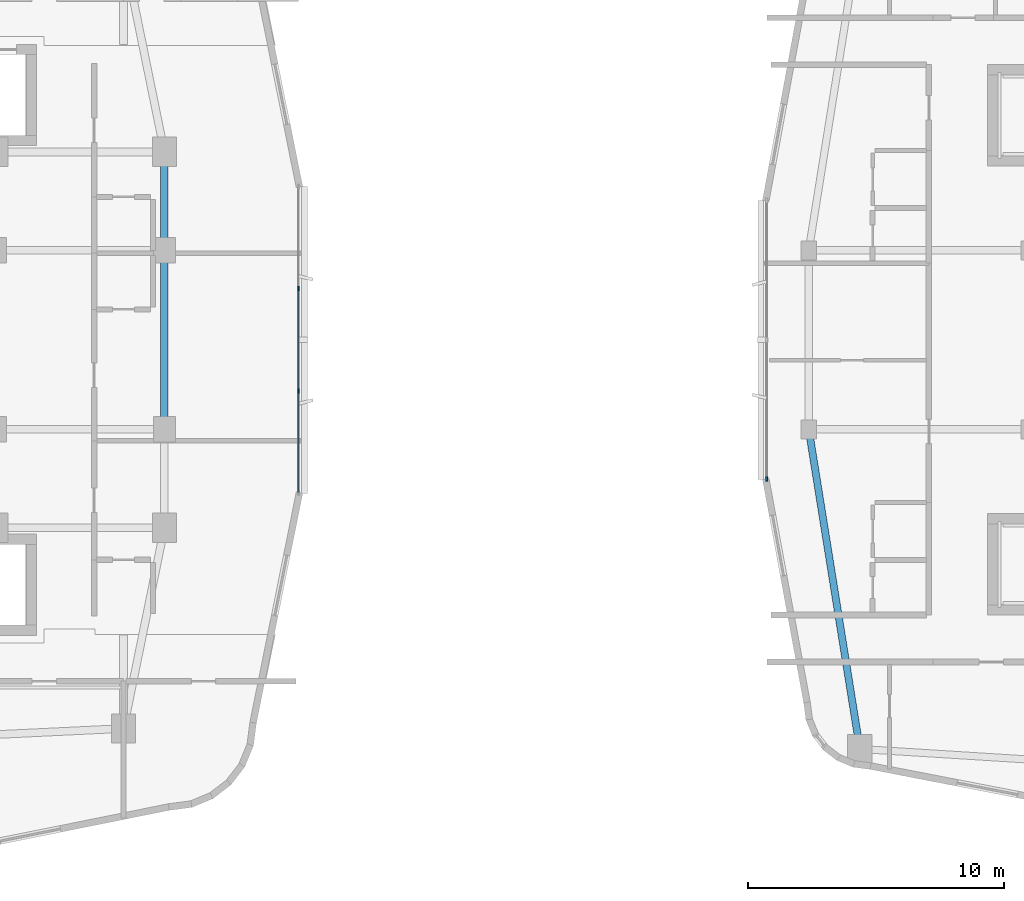
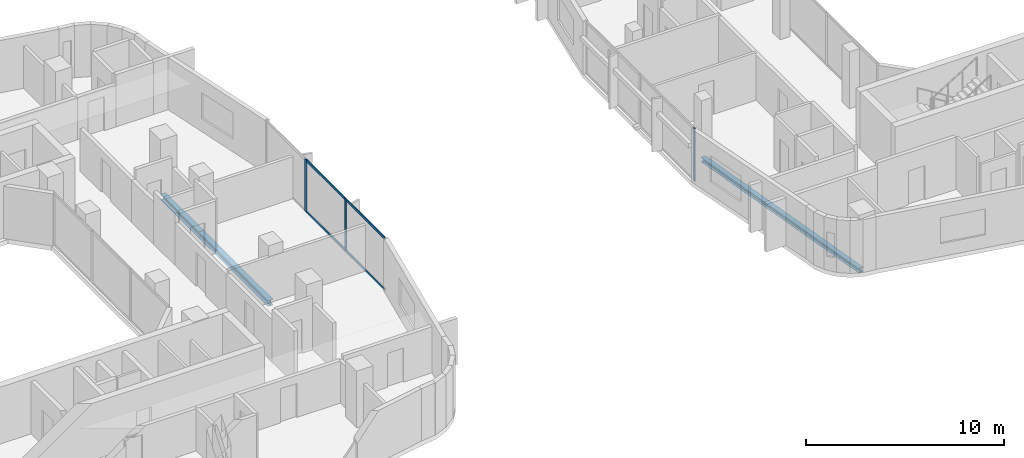
# One storey, part 5 of 26: 7 members, 3 beams, 2 elements without a shape of their own.
"""IFC4 building model written with IfcOpenShell, lengths in metres."""

from ifc_helpers import new_model, si_unit, derived_unit, direction, frame, origin, origin_2d, place, context, subcontext, project, spatial, rectangle, i_section, extrude, material, layer, layer_set, material_profile, profile_set, type_object, element, aggregate, save


model = new_model("IFC4")

# Units and contexts
model_context = context("Model", 3, precision=1e-05, world=origin(), true_north=direction((0.0, 1.0)))
body_context = subcontext(model_context, "Body", "Model", "MODEL_VIEW")
ifc_project = project(units=[si_unit("LENGTHUNIT", "METRE"), si_unit("AREAUNIT", "SQUARE_METRE"), si_unit("VOLUMEUNIT", "CUBIC_METRE"), si_unit("PLANEANGLEUNIT", "RADIAN"), si_unit("MASSUNIT", "GRAM", prefix="KILO"), derived_unit("THERMALTRANSMITTANCEUNIT", [(si_unit("POWERUNIT", "WATT"), 1), (si_unit("LENGTHUNIT", "METRE"), -2), (si_unit("THERMODYNAMICTEMPERATUREUNIT", "KELVIN"), -1)])], contexts=[model_context])

# Site, building, storey
site_placement = place(None, origin())
site = spatial("IfcSite", under=ifc_project, at=site_placement, CompositionType="ELEMENT")
building_placement = place(site_placement, origin())
building = spatial("IfcBuilding", under=site, at=building_placement, Name="Kivonza Crest Hotel", CompositionType="ELEMENT")
storey_placement = place(building_placement, frame((0.0, 0.0, 102.0)))
storey = spatial("IfcBuildingStorey", under=building, at=storey_placement, Name="L27", CompositionType="ELEMENT", Elevation=102.0)

# Beams
ifc_material_1 = material(Name="Steel S355", Category="steel")
ifc_material_profile_1 = material_profile(ifc_material_1, i_section(OverallWidth=0.280029296875, OverallDepth=0.280029296875, WebThickness=0.010498046875, FlangeThickness=0.01806640625, FilletRadius=0.02392578125, at=origin_2d()), Name="HEB 280")
ifc_profile_set_1 = profile_set([ifc_material_profile_1], Name="Steel S355")
beam_type_1 = type_object("IfcBeamType", Name="BM-HEB280", PredefinedType="SPANDREL", material=ifc_profile_set_1)
beam_1_placement = place(storey_placement, frame((61.0, 21.5, -0.389892578125), z_axis=(0.157990501107, -0.987440631917, 0.0), x_axis=(0.987440631917, 0.157990501107, 0.0)))
element("IfcBeam", 1, at=beam_1_placement, inside=storey, type_object=beam_type_1, Name="Companion Tower T2 L27 perimeter spandrel W1-SW", PredefinedType="SPANDREL", context=body_context, shape_type="SweptSolid", body=[
    extrude(i_section(OverallWidth=0.280029296875, OverallDepth=0.280029296875, WebThickness=0.010498046875, FlangeThickness=0.01806640625, FilletRadius=0.02392578125, at=origin_2d()), origin(), (0.0, 0.0, 1.0), 12.658935546875),
])
ifc_material_profile_2 = material_profile(ifc_material_1, i_section(OverallWidth=0.300048828125, OverallDepth=0.360107421875, WebThickness=0.012451171875, FlangeThickness=0.0224609375, FilletRadius=0.027099609375, at=origin_2d()), Name="HEB 360")
ifc_profile_set_2 = profile_set([ifc_material_profile_2], Name="Steel S355")
beam_type_2 = type_object("IfcBeamType", Name="BM-HEB360", PredefinedType="SPANDREL", material=ifc_profile_set_2)
beam_2_placement = place(storey_placement, frame((35.800048828125, 21.5, -0.4599609375), z_axis=(0.0, 1.0, 0.0), x_axis=(-1.0, 0.0, 0.0)))
element("IfcBeam", 2, at=beam_2_placement, inside=storey, type_object=beam_type_2, Name="Tower T1 L27 perimeter spandrel E1-E2", PredefinedType="SPANDREL", context=body_context, shape_type="SweptSolid", body=[
    extrude(i_section(OverallWidth=0.300048828125, OverallDepth=0.360107421875, WebThickness=0.012451171875, FlangeThickness=0.0224609375, FilletRadius=0.027099609375, at=origin_2d()), origin(), (0.0, 0.0, 1.0), 7.0),
])
beam_3_placement = place(storey_placement, frame((35.800048828125, 28.5, -0.4599609375), z_axis=(0.0, 1.0, 0.0), x_axis=(-1.0, 0.0, 0.0)))
element("IfcBeam", 3, at=beam_3_placement, inside=storey, type_object=beam_type_2, Name="Tower T1 L27 perimeter spandrel E2-PNE", PredefinedType="SPANDREL", context=body_context, shape_type="SweptSolid", body=[
    extrude(i_section(OverallWidth=0.300048828125, OverallDepth=0.360107421875, WebThickness=0.012451171875, FlangeThickness=0.0224609375, FilletRadius=0.027099609375, at=origin_2d()), origin(), (0.0, 0.0, 1.0), 3.85009765625),
])

# Curtain wall, members
ifc_material_2 = material(Name="Anodised bronze aluminium and low-E double glazing", Category="aluminium")
ifc_layer_1 = layer(ifc_material_2, 0.179931640625)
ifc_layer_set_1 = layer_set([ifc_layer_1], Name="Anodised bronze aluminium and low-E double glazing")
curtain_wall_type_1 = type_object("IfcCurtainWallType", Name="CW-SYS-2", PredefinedType="NOTDEFINED", material=ifc_layer_set_1)
curtain_wall_1_placement = place(storey_placement, origin())
curtain_wall_1 = element("IfcCurtainWall", 4, at=curtain_wall_1_placement, inside=storey, type_object=curtain_wall_type_1, Name="L27 unitised curtain wall CW-T1-L27-17", PredefinedType="NOTDEFINED")
ifc_material_3 = material(Name="Anodised bronze aluminium", Category="aluminium")
ifc_material_profile_3 = material_profile(ifc_material_3, rectangle(XDim=0.06494140625, YDim=0.179931640625, at=origin_2d()), Name="CW-M 65x180")
ifc_profile_set_3 = profile_set([ifc_material_profile_3], Name="Anodised bronze aluminium")
member_type_1 = type_object("IfcMemberType", Name="CW-MUL-65x180", PredefinedType="MULLION", material=ifc_profile_set_3)
member_1_placement = place(storey_placement, frame((41.0400390625, 22.993408203125, 0.0), z_axis=(0.0, 0.0, 1.0), x_axis=(-1.0, 0.0, 0.0)))
member_1 = element("IfcMember", 5, at=member_1_placement, type_object=member_type_1, Name="CW-2 mullion 2", PredefinedType="MULLION", context=body_context, shape_type="SweptSolid", body=[
    extrude(rectangle(XDim=0.06494140625, YDim=0.179931640625, at=origin_2d()), origin(), (0.0, 0.0, 1.0), 3.219970703125),
])
member_2_placement = place(storey_placement, frame((41.0400390625, 27.006591796875, 0.0), z_axis=(0.0, 0.0, 1.0), x_axis=(-1.0, 0.0, 0.0)))
member_2 = element("IfcMember", 6, at=member_2_placement, type_object=member_type_1, Name="CW-2 mullion 3", PredefinedType="MULLION", context=body_context, shape_type="SweptSolid", body=[
    extrude(rectangle(XDim=0.06494140625, YDim=0.179931640625, at=origin_2d()), origin(), (0.0, 0.0, 1.0), 3.219970703125),
])

# Curtain wall, member
ifc_layer_2 = layer(ifc_material_2, 0.179931640625)
ifc_layer_set_2 = layer_set([ifc_layer_2], Name="Anodised bronze aluminium and low-E double glazing")
curtain_wall_type_2 = type_object("IfcCurtainWallType", Name="CW-SYS-4", PredefinedType="NOTDEFINED", material=ifc_layer_set_2)
curtain_wall_2_placement = place(storey_placement, origin())
curtain_wall_2 = element("IfcCurtainWall", 7, at=curtain_wall_2_placement, inside=storey, type_object=curtain_wall_type_2, Name="L27 unitised curtain wall CW-T2-L27-35", PredefinedType="NOTDEFINED")
member_3_placement = place(storey_placement, frame((59.360107421875, 19.552490234375, 0.0), z_axis=(0.0, 0.0, 1.0), x_axis=(1.0, 0.0, 0.0)))
member_3 = element("IfcMember", 8, at=member_3_placement, type_object=member_type_1, Name="CW-4 mullion 3", PredefinedType="MULLION", context=body_context, shape_type="SweptSolid", body=[
    extrude(rectangle(XDim=0.06494140625, YDim=0.179931640625, at=origin_2d()), origin(), (0.0, 0.0, 1.0), 3.25),
])
aggregate(curtain_wall_2, [member_3])

# Member
ifc_material_profile_4 = material_profile(ifc_material_3, rectangle(XDim=0.06494140625, YDim=0.139892578125, at=origin_2d()), Name="CW-T 65x140")
ifc_profile_set_4 = profile_set([ifc_material_profile_4], Name="Anodised bronze aluminium")
member_type_2 = type_object("IfcMemberType", Name="CW-TRN-65x140", PredefinedType="USERDEFINED", material=ifc_profile_set_4)
member_4_placement = place(storey_placement, frame((41.0400390625, 19.044921875, 0.032470703125), z_axis=(0.0, 1.0, 0.0), x_axis=(-1.0, 0.0, 0.0)))
member_4 = element("IfcMember", 9, at=member_4_placement, type_object=member_type_2, Name="CW-2 transom 1.1", ObjectType="TRANSOM", PredefinedType="USERDEFINED", context=body_context, shape_type="SweptSolid", body=[
    extrude(rectangle(XDim=0.06494140625, YDim=0.139892578125, at=origin_2d()), origin(), (0.0, 0.0, 1.0), 3.916015625),
])

member_5_placement = place(storey_placement, frame((41.0400390625, 19.044921875, 3.1875), z_axis=(0.0, 1.0, 0.0), x_axis=(-1.0, 0.0, 0.0)))
member_5 = element("IfcMember", 10, at=member_5_placement, type_object=member_type_2, Name="CW-2 transom 1.2", ObjectType="TRANSOM", PredefinedType="USERDEFINED", context=body_context, shape_type="SweptSolid", body=[
    extrude(rectangle(XDim=0.06494140625, YDim=0.139892578125, at=origin_2d()), origin(), (0.0, 0.0, 1.0), 3.916015625),
])

member_6_placement = place(storey_placement, frame((41.0400390625, 23.02587890625, 0.032470703125), z_axis=(0.0, 1.0, 0.0), x_axis=(-1.0, 0.0, 0.0)))
member_6 = element("IfcMember", 11, at=member_6_placement, type_object=member_type_2, Name="CW-2 transom 2.1", ObjectType="TRANSOM", PredefinedType="USERDEFINED", context=body_context, shape_type="SweptSolid", body=[
    extrude(rectangle(XDim=0.06494140625, YDim=0.139892578125, at=origin_2d()), origin(), (0.0, 0.0, 1.0), 3.9482421875),
])

member_7_placement = place(storey_placement, frame((41.0400390625, 23.02587890625, 3.1875), z_axis=(0.0, 1.0, 0.0), x_axis=(-1.0, 0.0, 0.0)))
member_7 = element("IfcMember", 12, at=member_7_placement, type_object=member_type_2, Name="CW-2 transom 2.2", ObjectType="TRANSOM", PredefinedType="USERDEFINED", context=body_context, shape_type="SweptSolid", body=[
    extrude(rectangle(XDim=0.06494140625, YDim=0.139892578125, at=origin_2d()), origin(), (0.0, 0.0, 1.0), 3.9482421875),
])

aggregate(curtain_wall_1, [member_1, member_2, member_4, member_5, member_6, member_7])

save(model, "model.ifc")
